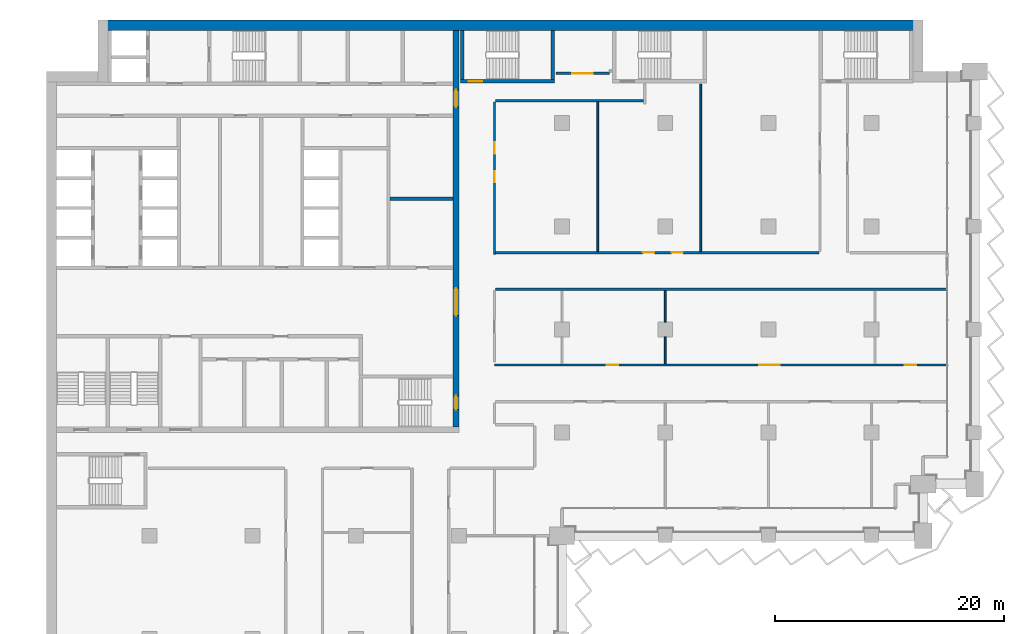
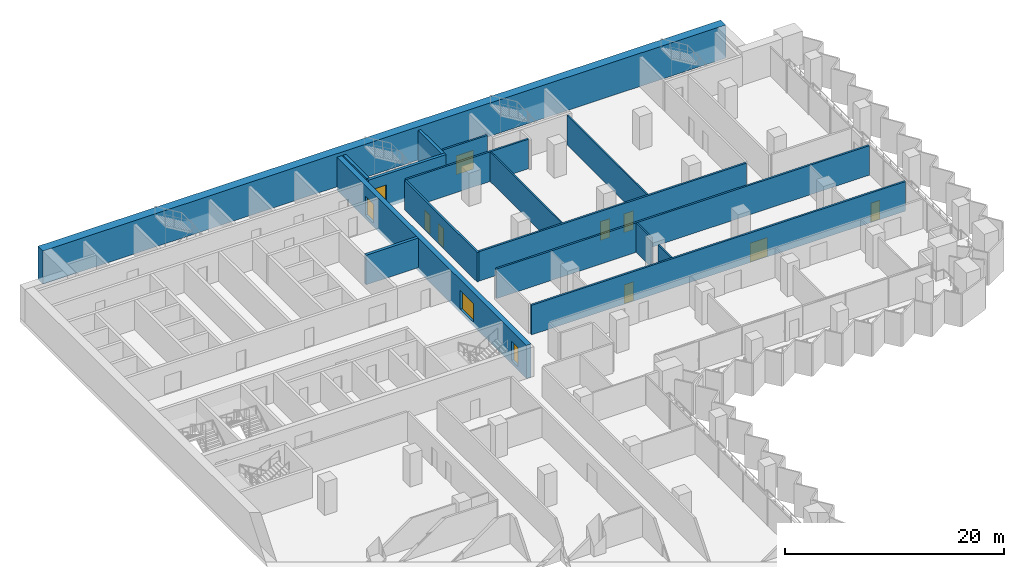
# One storey, part 14 of 23: 16 walls, 12 doors, 12 openings.
"""IFC4 building model written with IfcOpenShell, lengths in metres."""

import ifcopenshell
import ifcopenshell.guid

model = None  # the IFC model being written
_history = None  # IfcOwnerHistory: only IFC2X3 demands one
_inside = {}  # id of a spatial element -> (the spatial element, [elements in it])
_under = {}  # id of a project, library or spatial element -> (it, [spatial elements below it])
_declared = {}  # id of a project -> (the project, [libraries it declares])
_typed = {}  # id of a type object -> (the type object, [elements of that type])
_made_of = {}  # id of a material, layer set ... -> (it, [elements and type objects made of it])


def new_model(schema):
    """Start an empty IFC model of exactly this schema.

    Asked for "IFC4X3", IfcOpenShell would pick the latest addendum, in which some entities
    have other attributes; the version numbers below select the first issue.
    IFC2X3 requires an IfcOwnerHistory on every rooted entity: one is made here for all.
    """
    global model, _history
    if schema == "IFC4X3":
        model = ifcopenshell.file(schema_version=(4, 3, 0, 0))
    else:
        model = ifcopenshell.file(schema=schema)
    _inside.clear()
    _under.clear()
    _declared.clear()
    _typed.clear()
    _made_of.clear()
    _history = None
    if model.schema == "IFC2X3":
        org = make("IfcOrganization", Name="unknown")
        user = make(
            "IfcPersonAndOrganization",
            ThePerson=make("IfcPerson", FamilyName="unknown"),
            TheOrganization=org,
        )
        app = make(
            "IfcApplication",
            ApplicationDeveloper=org,
            Version="unknown",
            ApplicationFullName="unknown",
            ApplicationIdentifier="unknown",
        )
        _history = make(
            "IfcOwnerHistory",
            OwningUser=user,
            OwningApplication=app,
            ChangeAction="ADDED",
            CreationDate=0,
        )
    return model


def make(cls, **values):
    """One entity of the class cls with the attributes given. An attribute that is None is left unset."""
    return model.create_entity(
        cls, **{name: value for name, value in values.items() if value is not None}
    )


def rooted(cls, **values):
    """An entity with a GlobalId (a new one), such as an element, a storey or a relation."""
    return make(cls, GlobalId=ifcopenshell.guid.new(), OwnerHistory=_history, **values)


def si_unit(unit_type, name, prefix=None):
    """IfcSIUnit, for example si_unit("LENGTHUNIT", "METRE", prefix="MILLI")."""
    return make("IfcSIUnit", UnitType=unit_type, Prefix=prefix, Name=name)


def assignment(units):
    """IfcUnitAssignment: the units of a project."""
    return None if units is None else make("IfcUnitAssignment", Units=units)


def point(xyz):
    """IfcCartesianPoint."""
    return None if xyz is None else make("IfcCartesianPoint", Coordinates=xyz)


def direction(xyz):
    """IfcDirection."""
    return None if xyz is None else make("IfcDirection", DirectionRatios=xyz)


def frame(location, z_axis=None, x_axis=None):
    """IfcAxis2Placement3D, a coordinate frame: its origin and axes. An axis left out is left unset."""
    return make(
        "IfcAxis2Placement3D",
        Location=point(location),
        Axis=direction(z_axis),
        RefDirection=direction(x_axis),
    )


def frame_2d(location, x_axis=None):
    """IfcAxis2Placement2D, a coordinate frame in the plane: its origin and x axis."""
    return make(
        "IfcAxis2Placement2D", Location=point(location), RefDirection=direction(x_axis)
    )


def origin():
    """The frame at (0, 0, 0) with its axes left unset."""
    return frame((0.0, 0.0, 0.0))


def place(relative_to, where):
    """IfcLocalPlacement: puts the frame where relative to a parent placement (None: the world)."""
    return make(
        "IfcLocalPlacement", PlacementRelTo=relative_to, RelativePlacement=where
    )


def context(
    kind, dimensions, precision=None, world=None, true_north=None, identifier=None
):
    """IfcGeometricRepresentationContext, for example the 3D "Model" context."""
    return make(
        "IfcGeometricRepresentationContext",
        ContextIdentifier=identifier,
        ContextType=kind,
        CoordinateSpaceDimension=dimensions,
        Precision=precision,
        WorldCoordinateSystem=world,
        TrueNorth=true_north,
    )


def subcontext(parent, identifier, kind, view, scale=None):
    """IfcGeometricRepresentationSubContext, for example "Body" below "Model"."""
    return make(
        "IfcGeometricRepresentationSubContext",
        ContextIdentifier=identifier,
        ContextType=kind,
        ParentContext=parent,
        TargetScale=scale,
        TargetView=view,
    )


def project(units=None, contexts=None):
    """IfcProject with its units and contexts."""
    return rooted(
        "IfcProject",
        Name="project",
        RepresentationContexts=contexts,
        UnitsInContext=assignment(units),
    )


def spatial(cls, under=None, at=None, **own):
    """A site, building, storey or space (cls), placed at a placement, below another one or the project."""
    s = rooted(cls, ObjectPlacement=at, **own)
    if under is not None:
        _under.setdefault(under.id(), (under, []))[1].append(s)
    return s


def profile(cls, at=None, kind="AREA", **sizes):
    """A parametric profile (cls). Its sizes go by their IFC names, for example OverallWidth=200.0."""
    return make(cls, ProfileType=kind, Position=at, **sizes)


def rectangle(**sizes):
    """IfcRectangleProfileDef."""
    return profile("IfcRectangleProfileDef", **sizes)


def extrude(swept, where, along, depth):
    """IfcExtrudedAreaSolid: the profile swept, set in the frame where, extruded along a direction by depth."""
    return make(
        "IfcExtrudedAreaSolid",
        SweptArea=swept,
        Position=where,
        ExtrudedDirection=direction(along),
        Depth=depth,
    )


def shape(context_of_items, identifier, shape_type, items):
    """IfcShapeRepresentation: the items that make up one representation, for example the "Body"."""
    return make(
        "IfcShapeRepresentation",
        ContextOfItems=context_of_items,
        RepresentationIdentifier=identifier,
        RepresentationType=shape_type,
        Items=items,
    )


def material(Name=None, Category=None):
    """IfcMaterial."""
    return make("IfcMaterial", Name=Name, Category=Category)


def layer(
    of_material, thickness, ventilated=None, Name=None, Category=None, Priority=None
):
    """IfcMaterialLayer: one layer of a wall or slab, of a material (None: an air gap)."""
    return make(
        "IfcMaterialLayer",
        Material=of_material,
        LayerThickness=thickness,
        IsVentilated=ventilated,
        Name=Name,
        Category=Category,
        Priority=Priority,
    )


def layer_set(layers, Name=None):
    """IfcMaterialLayerSet."""
    return make("IfcMaterialLayerSet", MaterialLayers=layers, LayerSetName=Name)


def made_of(thing, what):
    """Note that an element or type object is made of a material, layer set ...; save() writes the relation."""
    if what is not None:
        _made_of.setdefault(what.id(), (what, []))[1].append(thing)
    return thing


def type_object(cls, material=None, **own):
    """A type object (cls), such as IfcWallType, which elements share."""
    return made_of(rooted(cls, **own), material)


def element(
    cls,
    number,
    at=None,
    inside=None,
    cuts=None,
    type_object=None,
    material=None,
    context=None,
    identifier="Body",
    shape_type=None,
    held_by="IfcProductDefinitionShape",
    body=None,
    shapes=None,
    **own,
):
    """One element of the class cls, such as IfcWall. Its Tag is "e" and its number.

    at: its placement. inside: the storey or other place that contains it. cuts: it is an
    opening in that element (IfcRelVoidsElement). A single representation is given by context,
    identifier, shape_type and body (its items); several are given by shapes. held_by: the class
    of the entity that holds the representations. save() writes the other relations.
    """
    e = rooted(cls, Tag="e%d" % number, ObjectPlacement=at, **own)
    if body is not None:
        shapes = [shape(context, identifier, shape_type, body)]
    if shapes is not None:
        e.Representation = make(held_by, Representations=shapes)
    if inside is not None:
        _inside.setdefault(inside.id(), (inside, []))[1].append(e)
    if cuts is not None:
        rooted(
            "IfcRelVoidsElement", RelatingBuildingElement=cuts, RelatedOpeningElement=e
        )
    if type_object is not None:
        _typed.setdefault(type_object.id(), (type_object, []))[1].append(e)
    return made_of(e, material)


def fill(opening, filler):
    """IfcRelFillsElement: the door or window that sits in an opening."""
    return rooted(
        "IfcRelFillsElement",
        RelatingOpeningElement=opening,
        RelatedBuildingElement=filler,
    )


def aggregate(whole, parts):
    """IfcRelAggregates: a whole, such as a stair, and the parts it consists of."""
    return rooted("IfcRelAggregates", RelatingObject=whole, RelatedObjects=parts)


def save(model, path):
    """Write the relations noted so far, then the file.

    IfcRelAggregates (storeys below a building ...), IfcRelContainedInSpatialStructure (elements
    in a storey), IfcRelDefinesByType, IfcRelAssociatesMaterial and IfcRelDeclares: one each for
    every whole, place, type object, material and project.
    """
    for whole, parts in _under.values():
        aggregate(whole, parts)
    for where, things in _inside.values():
        rooted(
            "IfcRelContainedInSpatialStructure",
            RelatedElements=things,
            RelatingStructure=where,
        )
    for kind, things in _typed.values():
        rooted("IfcRelDefinesByType", RelatedObjects=things, RelatingType=kind)
    for what, things in _made_of.values():
        rooted("IfcRelAssociatesMaterial", RelatedObjects=things, RelatingMaterial=what)
    for by, libraries in _declared.values():
        rooted("IfcRelDeclares", RelatingContext=by, RelatedDefinitions=libraries)
    model.write(path)


model = new_model("IFC4")

# Units and contexts
model_context = context("Model", 3, precision=1e-05, world=origin(), true_north=direction((0.0, 1.0)))
body_context = subcontext(model_context, "Body", "Model", "MODEL_VIEW")
ifc_project = project(units=[si_unit("LENGTHUNIT", "METRE"), si_unit("AREAUNIT", "SQUARE_METRE"), si_unit("VOLUMEUNIT", "CUBIC_METRE"), si_unit("PLANEANGLEUNIT", "RADIAN"), si_unit("MASSUNIT", "GRAM", prefix="KILO")], contexts=[model_context])

# Site, building, storey
site_placement = place(None, origin())
site = spatial("IfcSite", under=ifc_project, at=site_placement, CompositionType="ELEMENT")
building_placement = place(site_placement, origin())
building = spatial("IfcBuilding", under=site, at=building_placement, Name="Hunhe Ridgeline Campus", CompositionType="ELEMENT")
storey_placement = place(building_placement, frame((0.0, 0.0, 99.60009765625)))
storey = spatial("IfcBuildingStorey", under=building, at=storey_placement, Name="L24", CompositionType="ELEMENT", Elevation=99.60009765625)

# Wall
ifc_material_1 = material(Name="Masonry concrete blockwork", Category="masonry")
ifc_layer_1 = layer(ifc_material_1, 0.300048828125)
ifc_layer_set_1 = layer_set([ifc_layer_1], Name="Core room partition 300 concrete block")
wall_type_1 = type_object("IfcWallType", Name="Core room partition 300 concrete block", PredefinedType="PARTITIONING", material=ifc_layer_set_1)
wall_1_placement = place(storey_placement, frame((30.0, 83.39990234375, 0.0), z_axis=(0.0, 0.0, 1.0), x_axis=(1.0, 0.0, 0.0)))
element("IfcWall", 1, at=wall_1_placement, inside=storey, type_object=wall_type_1, Name="L24 core partition 20", PredefinedType="PARTITIONING", context=body_context, shape_type="SweptSolid", body=[
    extrude(rectangle(XDim=5.5, YDim=0.300048828125, at=frame_2d((2.75, 0.0))), origin(), (0.0, 0.0, 1.0), 3.2998046875),
])

# Wall, openings, doors
ifc_material_2 = material(Name="Concrete C80", Category="concrete")
ifc_layer_2 = layer(ifc_material_2, 0.5)
ifc_layer_set_2 = layer_set([ifc_layer_2], Name="Core wall 500 reinforced concrete C80")
wall_type_2 = type_object("IfcWallType", Name="Core wall 500 reinforced concrete C80", PredefinedType="SOLIDWALL", material=ifc_layer_set_2)
wall_2_placement = place(storey_placement, frame((35.75, 63.5, -0.400146484375), z_axis=(0.0, 0.0, 1.0), x_axis=(0.0, 1.0, 0.0)))
wall_2 = element("IfcWall", 2, at=wall_2_placement, inside=storey, type_object=wall_type_2, Name="L24 core wall 61", PredefinedType="SOLIDWALL", context=body_context, shape_type="SweptSolid", body=[
    extrude(rectangle(XDim=34.60009765625, YDim=0.5, at=frame_2d((17.300048828125, 0.0))), origin(), (0.0, 0.0, 1.0), 3.699951171875),
])
opening_1_placement = place(wall_2_placement, frame((9.699951171875, 0.0, 0.39990234375)))
opening_1 = element("IfcOpeningElement", 3, at=opening_1_placement, cuts=wall_2, Name="Opening CD4", PredefinedType="OPENING", context=body_context, shape_type="SweptSolid", body=[
    extrude(rectangle(XDim=2.39990234375, YDim=2.10009765625, at=frame_2d((1.199951171875, 1.050048828125))), frame((0.0, 0.25, 0.0), z_axis=(0.0, -1.0, 0.0), x_axis=(1.0, 0.0, 0.0)), (0.0, 0.0, 1.0), 0.5),
])
opening_2_placement = place(wall_2_placement, frame((27.89990234375, 0.0, 0.39990234375)))
opening_2 = element("IfcOpeningElement", 4, at=opening_2_placement, cuts=wall_2, Name="Opening CD5", PredefinedType="OPENING", context=body_context, shape_type="SweptSolid", body=[
    extrude(rectangle(XDim=1.5, YDim=2.10009765625, at=frame_2d((0.75, 1.050048828125))), frame((0.0, 0.25, 0.0), z_axis=(0.0, -1.0, 0.0), x_axis=(1.0, 0.0, 0.0)), (0.0, 0.0, 1.0), 0.5),
])
opening_3_placement = place(wall_2_placement, frame((1.5, 0.0, 0.39990234375)))
opening_3 = element("IfcOpeningElement", 5, at=opening_3_placement, cuts=wall_2, Name="Opening CD15", PredefinedType="OPENING", context=body_context, shape_type="SweptSolid", body=[
    extrude(rectangle(XDim=1.199951171875, YDim=2.10009765625, at=frame_2d((0.60009765625, 1.050048828125))), frame((0.0, 0.25, 0.0), z_axis=(0.0, -1.0, 0.0), x_axis=(1.0, 0.0, 0.0)), (0.0, 0.0, 1.0), 0.5),
])
ifc_material_3 = material(Name="Anodised aluminium and glass", Category="aluminium")
door_type_1 = type_object("IfcDoorType", Name="Glazed double door 2400x2100", OperationType="DOUBLE_DOOR_SINGLE_SWING", PredefinedType="DOOR", material=ifc_material_3)
door_1_placement = place(opening_1_placement, frame((2.39990234375, 0.0, 0.0), z_axis=(0.0, 0.0, 1.0), x_axis=(-1.0, 0.0, 0.0)))
door_1 = element("IfcDoor", 6, at=door_1_placement, inside=storey, type_object=door_type_1, Name="L24 door HALL-FLOOR", OperationType="DOUBLE_DOOR_SINGLE_SWING", OverallHeight=2.10009765625, OverallWidth=2.39990234375, PredefinedType="DOOR", context=body_context, shape_type="SweptSolid", body=[
    extrude(rectangle(XDim=2.39990234375, YDim=2.10009765625, at=frame_2d((1.199951171875, 1.050048828125))), frame((0.0, 0.02490234375, 0.0), z_axis=(0.0, -1.0, 0.0), x_axis=(1.0, 0.0, 0.0)), (0.0, 0.0, 1.0), 0.050048828125),
])
fill(opening_1, door_1)
ifc_material_4 = material(Name="Hollow metal fire door leaf")
door_type_2 = type_object("IfcDoorType", Name="Stair door 1200x2100 FD60", OperationType="SINGLE_SWING_LEFT", PredefinedType="DOOR", material=ifc_material_4)
door_2_placement = place(opening_3_placement, frame((1.199951171875, 0.0, 0.0), z_axis=(0.0, 0.0, 1.0), x_axis=(-1.0, 0.0, 0.0)))
door_2 = element("IfcDoor", 7, at=door_2_placement, inside=storey, type_object=door_type_2, Name="L24 door S2-FLOOR", OperationType="SINGLE_SWING_RIGHT", OverallHeight=2.10009765625, OverallWidth=1.199951171875, PredefinedType="DOOR", context=body_context, shape_type="SweptSolid", body=[
    extrude(rectangle(XDim=1.199951171875, YDim=2.10009765625, at=frame_2d((0.60009765625, 1.050048828125))), frame((0.0, 0.02490234375, 0.0), z_axis=(0.0, -1.0, 0.0), x_axis=(1.0, 0.0, 0.0)), (0.0, 0.0, 1.0), 0.050048828125),
])
fill(opening_3, door_2)
ifc_material_5 = material(Name="Solid core timber door leaf", Category="wood")
door_type_3 = type_object("IfcDoorType", Name="Timber door 1500x2100", OperationType="SINGLE_SWING_LEFT", PredefinedType="DOOR", material=ifc_material_5)
door_3_placement = place(opening_2_placement, frame((1.5, 0.0, 0.0), z_axis=(0.0, 0.0, 1.0), x_axis=(-1.0, 0.0, 0.0)))
door_3 = element("IfcDoor", 8, at=door_3_placement, inside=storey, type_object=door_type_3, Name="L24 door C1-FLOOR", OperationType="SINGLE_SWING_RIGHT", OverallHeight=2.10009765625, OverallWidth=1.5, PredefinedType="DOOR", context=body_context, shape_type="SweptSolid", body=[
    extrude(rectangle(XDim=1.5, YDim=2.10009765625, at=frame_2d((0.75, 1.050048828125))), frame((0.0, 0.02490234375, 0.0), z_axis=(0.0, -1.0, 0.0), x_axis=(1.0, 0.0, 0.0)), (0.0, 0.0, 1.0), 0.050048828125),
])
fill(opening_2, door_3)

ifc_material_6 = material(Name="Gypsum board partition")
ifc_layer_3 = layer(ifc_material_6, 0.199951171875)
ifc_layer_set_3 = layer_set([ifc_layer_3], Name="Corridor partition 200 gypsum board on steel studs")
wall_type_3 = type_object("IfcWallType", Name="Corridor partition 200 gypsum board on steel studs", PredefinedType="PARTITIONING", material=ifc_layer_set_3)
wall_3_placement = place(storey_placement, frame((39.10009765625, 68.89990234375, 0.0), z_axis=(0.0, 0.0, 1.0), x_axis=(1.0, 0.0, 0.0)))
wall_3 = element("IfcWall", 9, at=wall_3_placement, inside=storey, type_object=wall_type_3, Name="F-L24-wall-034", PredefinedType="PARTITIONING", context=body_context, shape_type="SweptSolid", body=[
    extrude(rectangle(XDim=39.44482421875, YDim=0.199951171875, at=frame_2d((19.722412109375, 0.0))), origin(), (0.0, 0.0, 1.0), 3.2998046875),
])
opening_4_placement = place(wall_3_placement, frame((9.80078125, 0.0, 0.0)))
opening_4 = element("IfcOpeningElement", 10, at=opening_4_placement, cuts=wall_3, Name="Opening RD1-025", PredefinedType="OPENING", context=body_context, shape_type="SweptSolid", body=[
    extrude(rectangle(XDim=1.0, YDim=2.10009765625, at=frame_2d((0.5, 1.050048828125))), frame((0.0, 0.10009765625, 0.0), z_axis=(0.0, -1.0, 0.0), x_axis=(1.0, 0.0, 0.0)), (0.0, 0.0, 1.0), 0.199951171875),
])
opening_5_placement = place(wall_3_placement, frame((23.093505859375, 0.0, 0.0)))
opening_5 = element("IfcOpeningElement", 11, at=opening_5_placement, cuts=wall_3, Name="Opening RD2-026", PredefinedType="OPENING", context=body_context, shape_type="SweptSolid", body=[
    extrude(rectangle(XDim=1.800048828125, YDim=2.10009765625, at=frame_2d((0.89990234375, 1.050048828125))), frame((0.0, 0.10009765625, 0.0), z_axis=(0.0, -1.0, 0.0), x_axis=(1.0, 0.0, 0.0)), (0.0, 0.0, 1.0), 0.199951171875),
])
opening_6_placement = place(wall_3_placement, frame((35.804443359375, 0.0, 0.0)))
opening_6 = element("IfcOpeningElement", 12, at=opening_6_placement, cuts=wall_3, Name="Opening RD1-027", PredefinedType="OPENING", context=body_context, shape_type="SweptSolid", body=[
    extrude(rectangle(XDim=1.0, YDim=2.10009765625, at=frame_2d((0.5, 1.050048828125))), frame((0.0, 0.10009765625, 0.0), z_axis=(0.0, -1.0, 0.0), x_axis=(1.0, 0.0, 0.0)), (0.0, 0.0, 1.0), 0.199951171875),
])
ifc_material_7 = material(Name="Timber door leaf", Category="wood")
door_type_4 = type_object("IfcDoorType", Name="Double fire door 1800x2100 timber FD60", OperationType="DOUBLE_DOOR_SINGLE_SWING", PredefinedType="DOOR", material=ifc_material_7)
door_4_placement = place(opening_5_placement, origin())
door_4 = element("IfcDoor", 13, at=door_4_placement, inside=storey, type_object=door_type_4, Name="F-L24-door-026", OperationType="DOUBLE_DOOR_SINGLE_SWING", OverallHeight=2.10009765625, OverallWidth=1.800048828125, PredefinedType="DOOR", context=body_context, shape_type="SweptSolid", body=[
    extrude(rectangle(XDim=1.800048828125, YDim=2.10009765625, at=frame_2d((0.89990234375, 1.050048828125))), frame((0.0, 0.02490234375, 0.0), z_axis=(0.0, -1.0, 0.0), x_axis=(1.0, 0.0, 0.0)), (0.0, 0.0, 1.0), 0.050048828125),
])
fill(opening_5, door_4)
door_type_5 = type_object("IfcDoorType", Name="Single fire door 1000x2100 timber FD60", OperationType="NOTDEFINED", PredefinedType="DOOR", material=ifc_material_7)
door_5_placement = place(opening_4_placement, origin())
door_5 = element("IfcDoor", 14, at=door_5_placement, inside=storey, type_object=door_type_5, Name="F-L24-door-025", OperationType="SINGLE_SWING_RIGHT", OverallHeight=2.10009765625, OverallWidth=1.0, PredefinedType="DOOR", context=body_context, shape_type="SweptSolid", body=[
    extrude(rectangle(XDim=1.0, YDim=2.10009765625, at=frame_2d((0.5, 1.050048828125))), frame((0.0, 0.02490234375, 0.0), z_axis=(0.0, -1.0, 0.0), x_axis=(1.0, 0.0, 0.0)), (0.0, 0.0, 1.0), 0.050048828125),
])
fill(opening_4, door_5)
door_6_placement = place(opening_6_placement, origin())
door_6 = element("IfcDoor", 15, at=door_6_placement, inside=storey, type_object=door_type_5, Name="F-L24-door-027", OperationType="SINGLE_SWING_RIGHT", OverallHeight=2.10009765625, OverallWidth=1.0, PredefinedType="DOOR", context=body_context, shape_type="SweptSolid", body=[
    extrude(rectangle(XDim=1.0, YDim=2.10009765625, at=frame_2d((0.5, 1.050048828125))), frame((0.0, 0.02490234375, 0.0), z_axis=(0.0, -1.0, 0.0), x_axis=(1.0, 0.0, 0.0)), (0.0, 0.0, 1.0), 0.050048828125),
])
fill(opening_6, door_6)

# Wall
wall_4_placement = place(storey_placement, frame((78.544921875, 75.5, 0.0), z_axis=(0.0, 0.0, 1.0), x_axis=(-1.0, 0.0, 0.0)))
element("IfcWall", 16, at=wall_4_placement, inside=storey, type_object=wall_type_3, Name="F-L24-wall-035", PredefinedType="PARTITIONING", context=body_context, shape_type="SweptSolid", body=[
    extrude(rectangle(XDim=39.344970703125, YDim=0.199951171875, at=frame_2d((19.67236328125, 0.0))), origin(), (0.0, 0.0, 1.0), 3.2998046875),
])

# Wall, openings, doors
wall_5_placement = place(storey_placement, frame((39.199951171875, 78.699951171875, 0.0), z_axis=(0.0, 0.0, 1.0), x_axis=(1.0, 0.0, 0.0)))
wall_5 = element("IfcWall", 17, at=wall_5_placement, inside=storey, type_object=wall_type_3, Name="F-L24-wall-036", PredefinedType="PARTITIONING", context=body_context, shape_type="SweptSolid", body=[
    extrude(rectangle(XDim=28.199951171875, YDim=0.199951171875, at=frame_2d((14.10009765625, 0.0))), origin(), (0.0, 0.0, 1.0), 3.2998046875),
])
opening_7_placement = place(wall_5_placement, frame((12.844482421875, 0.0, 0.0)))
opening_7 = element("IfcOpeningElement", 18, at=opening_7_placement, cuts=wall_5, Name="Opening RD1-029", PredefinedType="OPENING", context=body_context, shape_type="SweptSolid", body=[
    extrude(rectangle(XDim=1.0, YDim=2.10009765625, at=frame_2d((0.5, 1.050048828125))), frame((0.0, 0.10009765625, 0.0), z_axis=(0.0, -1.0, 0.0), x_axis=(1.0, 0.0, 0.0)), (0.0, 0.0, 1.0), 0.199951171875),
])
opening_8_placement = place(wall_5_placement, frame((15.344482421875, 0.0, 0.0)))
opening_8 = element("IfcOpeningElement", 19, at=opening_8_placement, cuts=wall_5, Name="Opening RD1-030", PredefinedType="OPENING", context=body_context, shape_type="SweptSolid", body=[
    extrude(rectangle(XDim=1.0, YDim=2.10009765625, at=frame_2d((0.5, 1.050048828125))), frame((0.0, 0.10009765625, 0.0), z_axis=(0.0, -1.0, 0.0), x_axis=(1.0, 0.0, 0.0)), (0.0, 0.0, 1.0), 0.199951171875),
])
door_7_placement = place(opening_7_placement, frame((1.0, 0.0, 0.0), z_axis=(0.0, 0.0, 1.0), x_axis=(-1.0, 0.0, 0.0)))
door_7 = element("IfcDoor", 20, at=door_7_placement, inside=storey, type_object=door_type_5, Name="F-L24-door-029", OperationType="SINGLE_SWING_LEFT", OverallHeight=2.10009765625, OverallWidth=1.0, PredefinedType="DOOR", context=body_context, shape_type="SweptSolid", body=[
    extrude(rectangle(XDim=1.0, YDim=2.10009765625, at=frame_2d((0.5, 1.050048828125))), frame((0.0, 0.02490234375, 0.0), z_axis=(0.0, -1.0, 0.0), x_axis=(1.0, 0.0, 0.0)), (0.0, 0.0, 1.0), 0.050048828125),
])
fill(opening_7, door_7)
door_8_placement = place(opening_8_placement, frame((1.0, 0.0, 0.0), z_axis=(0.0, 0.0, 1.0), x_axis=(-1.0, 0.0, 0.0)))
door_8 = element("IfcDoor", 21, at=door_8_placement, inside=storey, type_object=door_type_5, Name="F-L24-door-030", OperationType="SINGLE_SWING_LEFT", OverallHeight=2.10009765625, OverallWidth=1.0, PredefinedType="DOOR", context=body_context, shape_type="SweptSolid", body=[
    extrude(rectangle(XDim=1.0, YDim=2.10009765625, at=frame_2d((0.5, 1.050048828125))), frame((0.0, 0.02490234375, 0.0), z_axis=(0.0, -1.0, 0.0), x_axis=(1.0, 0.0, 0.0)), (0.0, 0.0, 1.0), 0.050048828125),
])
fill(opening_8, door_8)

# Wall
wall_6_placement = place(storey_placement, frame((52.10009765625, 91.949951171875, 0.0), z_axis=(0.0, 0.0, 1.0), x_axis=(-1.0, 0.0, 0.0)))
element("IfcWall", 22, at=wall_6_placement, inside=storey, type_object=wall_type_3, Name="F-L24-wall-038", PredefinedType="PARTITIONING", context=body_context, shape_type="SweptSolid", body=[
    extrude(rectangle(XDim=12.900146484375, YDim=0.199951171875, at=frame_2d((6.4501953125, 0.0))), origin(), (0.0, 0.0, 1.0), 3.2998046875),
])

# Wall, opening, door
wall_7_placement = place(storey_placement, frame((44.4541015625, 94.35009765625, 0.0), z_axis=(0.0, 0.0, 1.0), x_axis=(1.0, 0.0, 0.0)))
wall_7 = element("IfcWall", 23, at=wall_7_placement, inside=storey, type_object=wall_type_3, Name="F-L24-wall-039", PredefinedType="PARTITIONING", context=body_context, shape_type="SweptSolid", body=[
    extrude(rectangle(XDim=4.6708984375, YDim=0.199951171875, at=frame_2d((2.33544921875, 0.0))), origin(), (0.0, 0.0, 1.0), 3.2998046875),
])
opening_9_placement = place(wall_7_placement, frame((1.435546875, 0.0, 0.0)))
opening_9 = element("IfcOpeningElement", 24, at=opening_9_placement, cuts=wall_7, Name="Opening RD2-037", PredefinedType="OPENING", context=body_context, shape_type="SweptSolid", body=[
    extrude(rectangle(XDim=1.800048828125, YDim=2.10009765625, at=frame_2d((0.89990234375, 1.050048828125))), frame((0.0, 0.10009765625, 0.0), z_axis=(0.0, -1.0, 0.0), x_axis=(1.0, 0.0, 0.0)), (0.0, 0.0, 1.0), 0.199951171875),
])
door_9_placement = place(opening_9_placement, origin())
door_9 = element("IfcDoor", 25, at=door_9_placement, inside=storey, type_object=door_type_4, Name="F-L24-door-037", OperationType="DOUBLE_DOOR_SINGLE_SWING", OverallHeight=2.10009765625, OverallWidth=1.800048828125, PredefinedType="DOOR", context=body_context, shape_type="SweptSolid", body=[
    extrude(rectangle(XDim=1.800048828125, YDim=2.10009765625, at=frame_2d((0.89990234375, 1.050048828125))), frame((0.0, 0.02490234375, 0.0), z_axis=(0.0, -1.0, 0.0), x_axis=(1.0, 0.0, 0.0)), (0.0, 0.0, 1.0), 0.050048828125),
])
fill(opening_9, door_9)

# Wall, openings, doors
wall_8_placement = place(storey_placement, frame((39.10009765625, 91.85009765625, 0.0), z_axis=(0.0, 0.0, 1.0), x_axis=(0.0, -1.0, 0.0)))
wall_8 = element("IfcWall", 26, at=wall_8_placement, inside=storey, type_object=wall_type_3, Name="F-L24-wall-054", PredefinedType="PARTITIONING", context=body_context, shape_type="SweptSolid", body=[
    extrude(rectangle(XDim=13.302001953125, YDim=0.199951171875, at=frame_2d((6.65087890625, 0.0))), origin(), (0.0, 0.0, 1.0), 3.2998046875),
])
opening_10_placement = place(wall_8_placement, frame((6.025390625, 0.0, 0.0)))
opening_10 = element("IfcOpeningElement", 27, at=opening_10_placement, cuts=wall_8, Name="Opening RD1-031", PredefinedType="OPENING", context=body_context, shape_type="SweptSolid", body=[
    extrude(rectangle(XDim=1.0, YDim=2.10009765625, at=frame_2d((0.5, 1.050048828125))), frame((0.0, 0.10009765625, 0.0), z_axis=(0.0, -1.0, 0.0), x_axis=(1.0, 0.0, 0.0)), (0.0, 0.0, 1.0), 0.199951171875),
])
opening_11_placement = place(wall_8_placement, frame((3.525390625, 0.0, 0.0)))
opening_11 = element("IfcOpeningElement", 28, at=opening_11_placement, cuts=wall_8, Name="Opening RD1-034", PredefinedType="OPENING", context=body_context, shape_type="SweptSolid", body=[
    extrude(rectangle(XDim=1.0, YDim=2.10009765625, at=frame_2d((0.5, 1.050048828125))), frame((0.0, 0.10009765625, 0.0), z_axis=(0.0, -1.0, 0.0), x_axis=(1.0, 0.0, 0.0)), (0.0, 0.0, 1.0), 0.199951171875),
])
door_10_placement = place(opening_10_placement, frame((1.0, 0.0, 0.0), z_axis=(0.0, 0.0, 1.0), x_axis=(-1.0, 0.0, 0.0)))
door_10 = element("IfcDoor", 29, at=door_10_placement, inside=storey, type_object=door_type_5, Name="F-L24-door-031", OperationType="SINGLE_SWING_RIGHT", OverallHeight=2.10009765625, OverallWidth=1.0, PredefinedType="DOOR", context=body_context, shape_type="SweptSolid", body=[
    extrude(rectangle(XDim=1.0, YDim=2.10009765625, at=frame_2d((0.5, 1.050048828125))), frame((0.0, 0.02490234375, 0.0), z_axis=(0.0, -1.0, 0.0), x_axis=(1.0, 0.0, 0.0)), (0.0, 0.0, 1.0), 0.050048828125),
])
fill(opening_10, door_10)
door_11_placement = place(opening_11_placement, frame((1.0, 0.0, 0.0), z_axis=(0.0, 0.0, 1.0), x_axis=(-1.0, 0.0, 0.0)))
door_11 = element("IfcDoor", 30, at=door_11_placement, inside=storey, type_object=door_type_5, Name="F-L24-door-034", OperationType="SINGLE_SWING_RIGHT", OverallHeight=2.10009765625, OverallWidth=1.0, PredefinedType="DOOR", context=body_context, shape_type="SweptSolid", body=[
    extrude(rectangle(XDim=1.0, YDim=2.10009765625, at=frame_2d((0.5, 1.050048828125))), frame((0.0, 0.02490234375, 0.0), z_axis=(0.0, -1.0, 0.0), x_axis=(1.0, 0.0, 0.0)), (0.0, 0.0, 1.0), 0.050048828125),
])
fill(opening_11, door_11)

# Walls
ifc_layer_4 = layer(ifc_material_6, 0.14990234375)
ifc_layer_set_4 = layer_set([ifc_layer_4], Name="Room partition 150 gypsum board on steel studs")
wall_type_4 = type_object("IfcWallType", Name="Room partition 150 gypsum board on steel studs", PredefinedType="PARTITIONING", material=ifc_layer_set_4)
wall_9_placement = place(storey_placement, frame((48.10009765625, 91.85009765625, 0.0), z_axis=(0.0, 0.0, 1.0), x_axis=(0.0, -1.0, 0.0)))
element("IfcWall", 31, at=wall_9_placement, inside=storey, type_object=wall_type_4, Name="F-L24-wall-058", PredefinedType="PARTITIONING", context=body_context, shape_type="SweptSolid", body=[
    extrude(rectangle(XDim=13.050048828125, YDim=0.14990234375, at=frame_2d((6.52490234375, 0.0))), origin(), (0.0, 0.0, 1.0), 3.2998046875),
])
wall_10_placement = place(storey_placement, frame((54.0, 71.35009765625, 0.0), z_axis=(0.0, 0.0, 1.0), x_axis=(0.0, -1.0, 0.0)))
element("IfcWall", 32, at=wall_10_placement, inside=storey, type_object=wall_type_4, Name="F-L24-wall-063", PredefinedType="PARTITIONING", context=body_context, shape_type="SweptSolid", body=[
    extrude(rectangle(XDim=2.35009765625, YDim=0.14990234375, at=frame_2d((1.175048828125, 0.0))), origin(), (0.0, 0.0, 1.0), 3.2998046875),
])
wall_11_placement = place(storey_placement, frame((54.0, 75.39990234375, 0.0), z_axis=(0.0, 0.0, 1.0), x_axis=(0.0, -1.0, 0.0)))
element("IfcWall", 33, at=wall_11_placement, inside=storey, type_object=wall_type_4, Name="F-L24-wall-064", PredefinedType="PARTITIONING", context=body_context, shape_type="SweptSolid", body=[
    extrude(rectangle(XDim=2.75, YDim=0.14990234375, at=frame_2d((1.375, 0.0))), origin(), (0.0, 0.0, 1.0), 3.2998046875),
])
wall_12_placement = place(storey_placement, frame((57.10009765625, 93.39599609375, 0.0), z_axis=(0.0, 0.0, 1.0), x_axis=(0.0, -1.0, 0.0)))
element("IfcWall", 34, at=wall_12_placement, inside=storey, type_object=wall_type_4, Name="F-L24-wall-065", PredefinedType="PARTITIONING", context=body_context, shape_type="SweptSolid", body=[
    extrude(rectangle(XDim=14.595947265625, YDim=0.14990234375, at=frame_2d((7.2978515625, 0.0))), origin(), (0.0, 0.0, 1.0), 3.2998046875),
])
ifc_material_8 = material(Name="Concrete C70", Category="concrete")
ifc_layer_5 = layer(ifc_material_8, 0.89990234375)
ifc_layer_set_5 = layer_set([ifc_layer_5], Name="Spine wall 900 Concrete C70")
wall_type_5 = type_object("IfcWallType", Name="Spine wall 900 Concrete C70", PredefinedType="SHEAR", material=ifc_layer_set_5)
wall_13_placement = place(storey_placement, frame((76.5, 98.550048828125, 0.0), z_axis=(0.0, 0.0, 1.0), x_axis=(-1.0, 0.0, 0.0)))
element("IfcWall", 35, at=wall_13_placement, inside=storey, type_object=wall_type_5, Name="Spine wall SW2-4 L24", PredefinedType="SHEAR", context=body_context, shape_type="SweptSolid", body=[
    extrude(rectangle(XDim=72.0, YDim=0.89990234375, at=frame_2d((36.0, 0.0))), origin(), (0.0, 0.0, 1.0), 3.699951171875),
])

# Wall, opening, door
ifc_layer_6 = layer(ifc_material_2, 0.300048828125)
ifc_layer_set_6 = layer_set([ifc_layer_6], Name="Stair wall 300 reinforced concrete C80")
wall_type_6 = type_object("IfcWallType", Name="Stair wall 300 reinforced concrete C80", PredefinedType="SOLIDWALL", material=ifc_layer_set_6)
wall_14_placement = place(storey_placement, frame((36.14990234375, 93.64990234375, -0.400146484375), z_axis=(0.0, 0.0, 1.0), x_axis=(1.0, 0.0, 0.0)))
wall_14 = element("IfcWall", 36, at=wall_14_placement, inside=storey, type_object=wall_type_6, Name="L24 core wall 28", PredefinedType="SOLIDWALL", context=body_context, shape_type="SweptSolid", body=[
    extrude(rectangle(XDim=8.2001953125, YDim=0.300048828125, at=frame_2d((4.10009765625, 0.0))), origin(), (0.0, 0.0, 1.0), 3.699951171875),
])
opening_12_placement = place(wall_14_placement, frame((0.699951171875, 0.0, 0.39990234375)))
opening_12 = element("IfcOpeningElement", 37, at=opening_12_placement, cuts=wall_14, Name="Opening CD17", PredefinedType="OPENING", context=body_context, shape_type="SweptSolid", body=[
    extrude(rectangle(XDim=1.199951171875, YDim=2.10009765625, at=frame_2d((0.60009765625, 1.050048828125))), frame((0.0, 0.14990234375, 0.0), z_axis=(0.0, -1.0, 0.0), x_axis=(1.0, 0.0, 0.0)), (0.0, 0.0, 1.0), 0.300048828125),
])
door_12_placement = place(opening_12_placement, frame((1.199951171875, 0.0, 0.0), z_axis=(0.0, 0.0, 1.0), x_axis=(-1.0, 0.0, 0.0)))
door_12 = element("IfcDoor", 38, at=door_12_placement, inside=storey, type_object=door_type_2, Name="L24 door E1", OperationType="SINGLE_SWING_RIGHT", OverallHeight=2.10009765625, OverallWidth=1.199951171875, PredefinedType="DOOR", context=body_context, shape_type="SweptSolid", body=[
    extrude(rectangle(XDim=1.199951171875, YDim=2.10009765625, at=frame_2d((0.60009765625, 1.050048828125))), frame((0.0, 0.02490234375, 0.0), z_axis=(0.0, -1.0, 0.0), x_axis=(1.0, 0.0, 0.0)), (0.0, 0.0, 1.0), 0.050048828125),
])
fill(opening_12, door_12)

# Walls
for number, where, z_axis, x_axis, name in (
    (39, (36.300048828125, 93.800048828125, -0.400146484375), (0.0, 0.0, 1.0), (0.0, 1.0, 0.0), "L24 core wall 62"),
    (40, (44.199951171875, 93.800048828125, -0.400146484375), (0.0, 0.0, 1.0), (0.0, 1.0, 0.0), "L24 core wall 63"),
):
    element("IfcWall", number, at=place(storey_placement, frame(where, z_axis=z_axis, x_axis=x_axis)), inside=storey, type_object=wall_type_6, Name=name, PredefinedType="SOLIDWALL", context=body_context, shape_type="SweptSolid", body=[
        extrude(rectangle(XDim=4.300048828125, YDim=0.300048828125, at=frame_2d((2.14990234375, 0.0))), origin(), (0.0, 0.0, 1.0), 3.699951171875),
    ])

save(model, "model.ifc")
